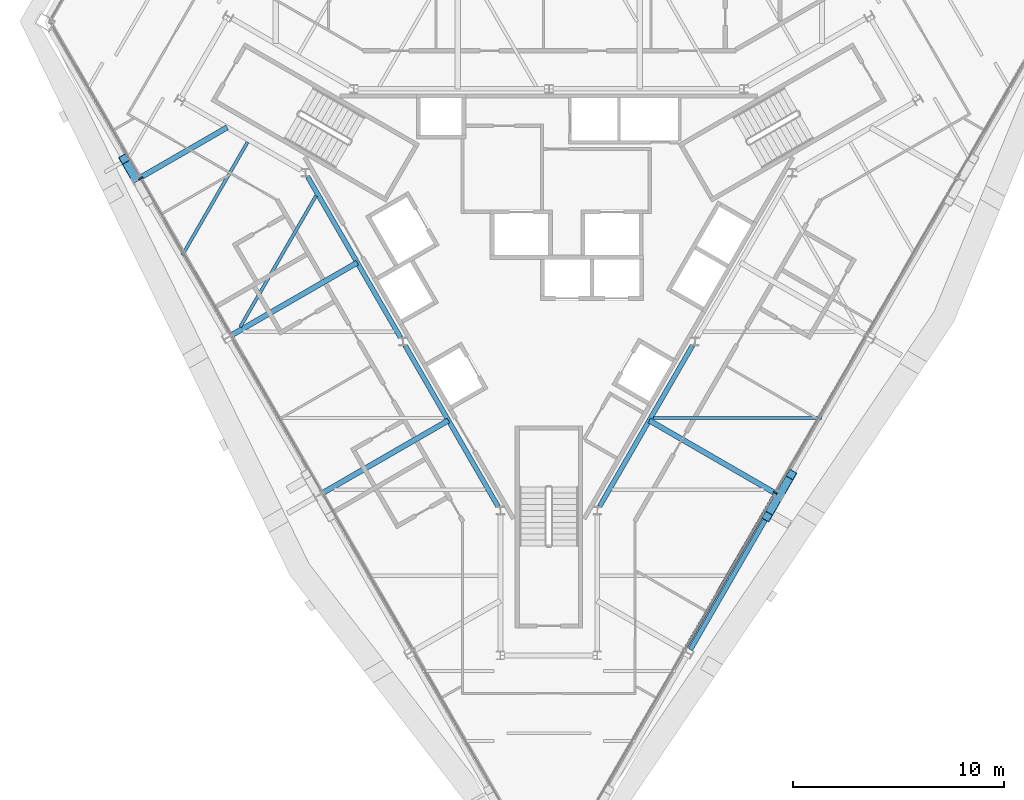
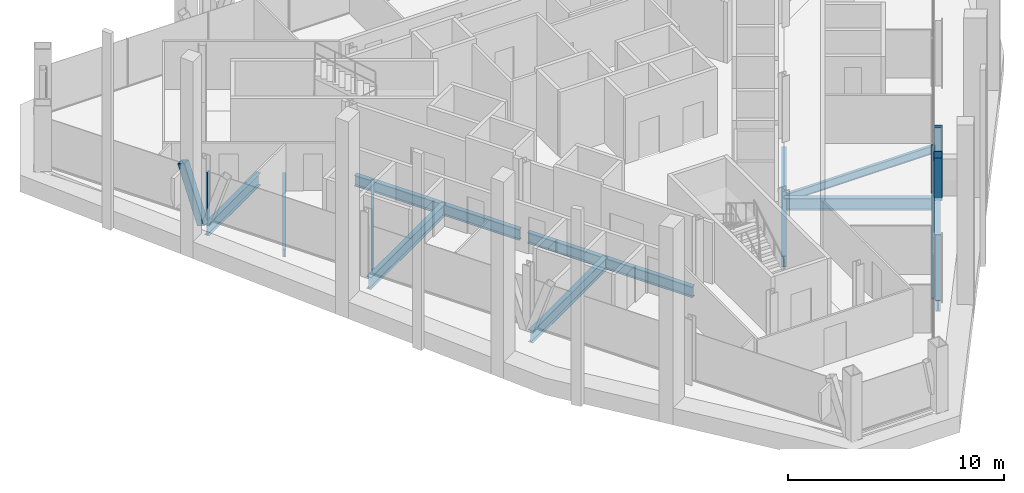
# One storey, part 3 of 14: 11 beams, 6 members, 2 elements without a shape of their own.
"""IFC4 building model written with IfcOpenShell, lengths in metres."""

from ifc_helpers import new_model, si_unit, direction, frame, origin, origin_2d, place, context, subcontext, project, spatial, rectangle, hollow_rectangle, i_section, extrude, material, material_profile, profile_set, type_object, element, aggregate, save


model = new_model("IFC4")

# Units and contexts
model_context = context("Model", 3, precision=1e-05, world=origin(), true_north=direction((0.0, 1.0)))
body_context = subcontext(model_context, "Body", "Model", "MODEL_VIEW")
ifc_project = project(units=[si_unit("LENGTHUNIT", "METRE"), si_unit("AREAUNIT", "SQUARE_METRE"), si_unit("VOLUMEUNIT", "CUBIC_METRE"), si_unit("PLANEANGLEUNIT", "RADIAN"), si_unit("MASSUNIT", "GRAM", prefix="KILO")], contexts=[model_context])

# Site, building, storey
site_placement = place(None, origin())
site = spatial("IfcSite", under=ifc_project, at=site_placement, CompositionType="ELEMENT")
building_placement = place(site_placement, origin())
building = spatial("IfcBuilding", under=site, at=building_placement, Name="Verrane Prism Tower", CompositionType="ELEMENT")
storey_placement = place(building_placement, frame((0.0, 0.0, 206.39990234375)))
storey = spatial("IfcBuildingStorey", under=building, at=storey_placement, Name="L51", CompositionType="ELEMENT", Elevation=206.39990234375)

# Beams
ifc_material_1 = material(Name="Steel A992", Category="steel")
ifc_material_profile_1 = material_profile(ifc_material_1, i_section(OverallWidth=0.23046875, OverallDepth=0.6171875, WebThickness=0.01318359375, FlangeThickness=0.022216796875, FilletRadius=0.012939453125, at=origin_2d()), Name="W24x94")
ifc_profile_set_1 = profile_set([ifc_material_profile_1], Name="Steel A992")
beam_type_1 = type_object("IfcBeamType", Name="Core ring girder W24x94", PredefinedType="BEAM", material=ifc_profile_set_1)
beam_1_placement = place(storey_placement, frame((-11.448486328125, 3.826904296875, -0.55859375), z_axis=(0.499967007444, -0.866044451208, 0.0), x_axis=(0.866044451208, 0.499967007444, 0.0)))
element("IfcBeam", 1, at=beam_1_placement, inside=storey, type_object=beam_type_1, Name="Core ring girder L51", PredefinedType="BEAM", context=body_context, shape_type="SweptSolid", body=[
    extrude(i_section(OverallWidth=0.23046875, OverallDepth=0.6171875, WebThickness=0.01318359375, FlangeThickness=0.022216796875, FilletRadius=0.012939453125, at=origin_2d()), origin(), (0.0, 0.0, 1.0), 8.814453125),
])
for number, where, z_axis, x_axis, name in (
    (2, (-6.818603515625, -4.193115234375, -0.55859375), (0.499987781028, -0.866032458297, 0.0), (0.866032458297, 0.499987781028, 0.0), "Core ring girder L51"),
    (3, (2.411376953125, -11.826904296875, -0.55859375), (0.499987781028, 0.866032458297, 0.0), (-0.866032458297, 0.499987781028, 0.0), "Core ring girder L51"),
):
    element("IfcBeam", number, at=place(storey_placement, frame(where, z_axis=z_axis, x_axis=x_axis)), inside=storey, type_object=beam_type_1, Name=name, PredefinedType="BEAM", context=body_context, shape_type="SweptSolid", body=[
        extrude(i_section(OverallWidth=0.23046875, OverallDepth=0.6171875, WebThickness=0.01318359375, FlangeThickness=0.022216796875, FilletRadius=0.012939453125, at=origin_2d()), origin(), (0.0, 0.0, 1.0), 8.814697265625),
    ])

# Members
ifc_material_2 = material(Name="Steel A500 Grade C", Category="steel")
ifc_material_profile_2 = material_profile(ifc_material_2, hollow_rectangle(XDim=0.406494140625, YDim=0.406494140625, WallThickness=0.01904296875, InnerFilletRadius=0.009521484375, OuterFilletRadius=0.028564453125, at=origin_2d()), Name="HSS16x16x3/4")
ifc_profile_set_2 = profile_set([ifc_material_profile_2], Name="Steel A500 Grade C")
member_type_1 = type_object("IfcMemberType", Name="Facade brace HSS16x16x3/4", PredefinedType="BRACE", material=ifc_profile_set_2)
for number, where, z_axis, x_axis, name in (
    (4, (-19.639404296875, 3.755859375, -0.171630859375), (-0.158222726519, 0.274336013979, 0.948527975469), (-0.866251253749, -0.499608612194, 0.0), "Facade brace SW0 L51"),
    (5, (10.890380859375, -11.39599609375, -0.171630859375), (-0.158154263808, -0.274271241883, 0.948558124057), (0.866293770924, -0.499534886128, 0.0), "Facade brace SE1 L51"),
):
    element("IfcMember", number, at=place(storey_placement, frame(where, z_axis=z_axis, x_axis=x_axis)), inside=storey, type_object=member_type_1, Name=name, PredefinedType="BRACE", context=body_context, shape_type="SweptSolid", body=[
        extrude(hollow_rectangle(XDim=0.406494140625, YDim=0.406494140625, WallThickness=0.01904296875, InnerFilletRadius=0.009521484375, OuterFilletRadius=0.028564453125, at=origin_2d()), origin(), (0.0, 0.0, 1.0), 3.322021484375),
    ])
member_1_placement = place(storey_placement, frame((10.989501953125, -11.22412109375, -0.171630859375), z_axis=(0.158652579434, 0.274316849942, 0.94846171503), x_axis=(-0.865648469128, 0.500652302397, 0.0)))
element("IfcMember", 6, at=member_1_placement, inside=storey, type_object=member_type_1, Name="Facade brace SE2 L51", PredefinedType="BRACE", context=body_context, shape_type="SweptSolid", body=[
    extrude(hollow_rectangle(XDim=0.406494140625, YDim=0.406494140625, WallThickness=0.01904296875, InnerFilletRadius=0.009521484375, OuterFilletRadius=0.028564453125, at=origin_2d()), origin(), (0.0, 0.0, 1.0), 3.322265625),
])

# Beams
ifc_material_3 = material(Name="Steel A992", Category="steel")
ifc_material_profile_3 = material_profile(ifc_material_3, i_section(OverallWidth=0.15234375, OverallDepth=0.449462890625, WebThickness=0.007568359375, FlangeThickness=0.0107421875, FilletRadius=0.01025390625, at=origin_2d()), Name="W18x35")
ifc_profile_set_3 = profile_set([ifc_material_profile_3], Name="Steel A992")
beam_type_2 = type_object("IfcBeamType", Name="Floor beam W18x35", PredefinedType="BEAM", material=ifc_profile_set_3)
beam_2_placement = place(storey_placement, frame((-14.6533203125, -3.317138671875, -0.384765625), z_axis=(0.500002364004, 0.866024038922, 0.0), x_axis=(-0.866024038922, 0.500002364004, 0.0)))
element("IfcBeam", 7, at=beam_2_placement, inside=storey, type_object=beam_type_2, Name="Floor beam L51", PredefinedType="BEAM", context=body_context, shape_type="SweptSolid", body=[
    extrude(i_section(OverallWidth=0.15234375, OverallDepth=0.449462890625, WebThickness=0.007568359375, FlangeThickness=0.0107421875, FilletRadius=0.01025390625, at=origin_2d()), origin(), (0.0, 0.0, 1.0), 7.19775390625),
])
beam_3_placement = place(storey_placement, frame((-17.3974609375, 0.098876953125, -0.384765625), z_axis=(0.499994080864, 0.866028821172, 0.0), x_axis=(-0.866028821172, 0.499994080864, 0.0)))
element("IfcBeam", 8, at=beam_3_placement, inside=storey, type_object=beam_type_2, Name="Floor beam L51", PredefinedType="BEAM", context=body_context, shape_type="SweptSolid", body=[
    extrude(i_section(OverallWidth=0.15234375, OverallDepth=0.449462890625, WebThickness=0.007568359375, FlangeThickness=0.0107421875, FilletRadius=0.01025390625, at=origin_2d()), origin(), (0.0, 0.0, 1.0), 6.1982421875),
])
beam_4_placement = place(storey_placement, frame((4.9755859375, -7.623291015625, -0.384765625), z_axis=(1.0, 0.0, 0.0), x_axis=(0.0, 1.0, 0.0)))
element("IfcBeam", 9, at=beam_4_placement, inside=storey, type_object=beam_type_2, Name="Floor beam L51", PredefinedType="BEAM", context=body_context, shape_type="SweptSolid", body=[
    extrude(i_section(OverallWidth=0.15234375, OverallDepth=0.449462890625, WebThickness=0.007568359375, FlangeThickness=0.0107421875, FilletRadius=0.01025390625, at=origin_2d()), origin(), (0.0, 0.0, 1.0), 7.962890625),
])

# Curtain wall, member
ifc_material_4 = material(Name="Aluminium framed insulated glazing", Category="aluminium")
curtain_wall_type = type_object("IfcCurtainWallType", Name="Curtain wall CW-A 8400 module", PredefinedType="NOTDEFINED", material=ifc_material_4)
curtain_wall_1_placement = place(storey_placement, origin())
curtain_wall_1 = element("IfcCurtainWall", 10, at=curtain_wall_1_placement, inside=storey, type_object=curtain_wall_type, Name="Glazed curtain wall south-west face L51", PredefinedType="NOTDEFINED")
ifc_material_5 = material(Name="Aluminium alloy 6063-T6", Category="aluminium")
ifc_material_profile_4 = material_profile(ifc_material_5, rectangle(XDim=0.199951171875, YDim=0.070068359375, at=origin_2d()), Name="Mullion 70x200 aluminium")
ifc_profile_set_4 = profile_set([ifc_material_profile_4], Name="Aluminium alloy 6063-T6")
member_type_2 = type_object("IfcMemberType", Name="Mullion 70x200 aluminium", PredefinedType="MULLION", material=ifc_profile_set_4)
member_2_placement = place(storey_placement, frame((-19.37060546875, 3.747314453125, 0.0), z_axis=(0.0, 0.0, 1.0), x_axis=(0.866026096662, 0.499998799899, 0.0)))
member_2 = element("IfcMember", 11, at=member_2_placement, type_object=member_type_2, Name="CW51.4 mullion 2", PredefinedType="MULLION", context=body_context, shape_type="SweptSolid", body=[
    extrude(rectangle(XDim=0.199951171875, YDim=0.070068359375, at=origin_2d()), origin(), (0.0, 0.0, 1.0), 2.712890625),
])
aggregate(curtain_wall_1, [member_2])

curtain_wall_2_placement = place(storey_placement, origin())
curtain_wall_2 = element("IfcCurtainWall", 12, at=curtain_wall_2_placement, inside=storey, type_object=curtain_wall_type, Name="Glazed curtain wall south-east face L51", PredefinedType="NOTDEFINED")
member_3_placement = place(storey_placement, frame((10.750244140625, -11.18359375, 0.0), z_axis=(0.0, 0.0, 1.0), x_axis=(-0.866026096662, 0.499998799899, 0.0)))
member_3 = element("IfcMember", 13, at=member_3_placement, type_object=member_type_2, Name="CW51.6 mullion 3", PredefinedType="MULLION", context=body_context, shape_type="SweptSolid", body=[
    extrude(rectangle(XDim=0.199951171875, YDim=0.070068359375, at=origin_2d()), origin(), (0.0, 0.0, 1.0), 2.712890625),
])

# Beams
ifc_material_6 = material(Name="Steel A992", Category="steel")
ifc_material_profile_5 = material_profile(ifc_material_6, i_section(OverallWidth=0.25390625, OverallDepth=0.683349609375, WebThickness=0.012451171875, FlangeThickness=0.01904296875, FilletRadius=0.01513671875, at=origin_2d()), Name="W27x94")
ifc_profile_set_5 = profile_set([ifc_material_profile_5], Name="Steel A992")
beam_type_3 = type_object("IfcBeamType", Name="Radial girder W27x94", PredefinedType="BEAM", material=ifc_profile_set_5)
beam_5_placement = place(storey_placement, frame((-19.417236328125, 3.769775390625, -0.5615234375), z_axis=(0.866040325021, 0.49997415477, 0.0), x_axis=(-0.49997415477, 0.866040325021, 0.0)))
element("IfcBeam", 14, at=beam_5_placement, inside=storey, type_object=beam_type_3, Name="Radial girder L51", PredefinedType="BEAM", context=body_context, shape_type="SweptSolid", body=[
    extrude(i_section(OverallWidth=0.25390625, OverallDepth=0.683349609375, WebThickness=0.012451171875, FlangeThickness=0.01904296875, FilletRadius=0.01513671875, at=origin_2d()), origin(), (0.0, 0.0, 1.0), 4.785888671875),
])
beam_6_placement = place(storey_placement, frame((-15.097412109375, -3.72021484375, -0.5615234375), z_axis=(0.866039581409, 0.499975442831, 0.0), x_axis=(-0.499975442831, 0.866039581409, 0.0)))
element("IfcBeam", 15, at=beam_6_placement, inside=storey, type_object=beam_type_3, Name="Radial girder L51", PredefinedType="BEAM", context=body_context, shape_type="SweptSolid", body=[
    extrude(i_section(OverallWidth=0.25390625, OverallDepth=0.683349609375, WebThickness=0.012451171875, FlangeThickness=0.01904296875, FilletRadius=0.01513671875, at=origin_2d()), origin(), (0.0, 0.0, 1.0), 6.933349609375),
])
for number, where, z_axis, x_axis, name in (
    (16, (-10.767333984375, -11.210205078125, -0.5615234375), (0.866024796723, 0.500001051461, 0.0), (-0.500001051461, 0.866024796723, 0.0), "Radial girder L51"),
    (17, (10.767333984375, -11.210205078125, -0.5615234375), (-0.866024796723, 0.500001051461, 0.0), (-0.500001051461, -0.866024796723, 0.0), "Radial girder L51"),
):
    element("IfcBeam", number, at=place(storey_placement, frame(where, z_axis=z_axis, x_axis=x_axis)), inside=storey, type_object=beam_type_3, Name=name, PredefinedType="BEAM", context=body_context, shape_type="SweptSolid", body=[
        extrude(i_section(OverallWidth=0.25390625, OverallDepth=0.683349609375, WebThickness=0.012451171875, FlangeThickness=0.01904296875, FilletRadius=0.01513671875, at=origin_2d()), origin(), (0.0, 0.0, 1.0), 6.92822265625),
    ])
ifc_material_7 = material(Name="Steel A992", Category="steel")
ifc_material_profile_6 = material_profile(ifc_material_7, i_section(OverallWidth=0.23046875, OverallDepth=0.6171875, WebThickness=0.01318359375, FlangeThickness=0.022216796875, FilletRadius=0.012939453125, at=origin_2d()), Name="W24x94")
ifc_profile_set_6 = profile_set([ifc_material_profile_6], Name="Steel A992")
beam_type_4 = type_object("IfcBeamType", Name="Spandrel beam W24x94", PredefinedType="SPANDREL", material=ifc_profile_set_6)
beam_7_placement = place(storey_placement, frame((6.72021484375, -18.626220703125, -0.468505859375), z_axis=(0.499613933384, 0.866248184742, 0.0), x_axis=(-0.866248184742, 0.499613933384, 0.0)))
element("IfcBeam", 18, at=beam_7_placement, inside=storey, type_object=beam_type_4, Name="Spandrel beam L51", PredefinedType="SPANDREL", context=body_context, shape_type="SweptSolid", body=[
    extrude(i_section(OverallWidth=0.23046875, OverallDepth=0.6171875, WebThickness=0.01318359375, FlangeThickness=0.022216796875, FilletRadius=0.012939453125, at=origin_2d()), origin(), (0.0, 0.0, 1.0), 8.2451171875),
])

# Member
ifc_material_8 = material(Name="Aluminium alloy 6063-T6", Category="aluminium")
ifc_material_profile_7 = material_profile(ifc_material_8, rectangle(XDim=0.14990234375, YDim=0.070068359375, at=origin_2d()), Name="Transom 70x150 aluminium")
ifc_profile_set_7 = profile_set([ifc_material_profile_7], Name="Aluminium alloy 6063-T6")
member_type_3 = type_object("IfcMemberType", Name="Transom 70x150 aluminium", PredefinedType="USERDEFINED", material=ifc_profile_set_7)
member_4_placement = place(storey_placement, frame((6.45751953125, -18.61865234375, 0.03515625), z_axis=(0.499999279071, 0.866025820012, 0.0), x_axis=(-0.866025820012, 0.499999279071, 0.0)))
member_4 = element("IfcMember", 19, at=member_4_placement, type_object=member_type_3, Name="CW51.6 transom 2", ObjectType="TRANSOM", PredefinedType="USERDEFINED", context=body_context, shape_type="SweptSolid", body=[
    extrude(rectangle(XDim=0.14990234375, YDim=0.070068359375, at=origin_2d()), origin(), (0.0, 0.0, 1.0), 8.55029296875),
])

aggregate(curtain_wall_2, [member_3, member_4])

save(model, "model.ifc")
